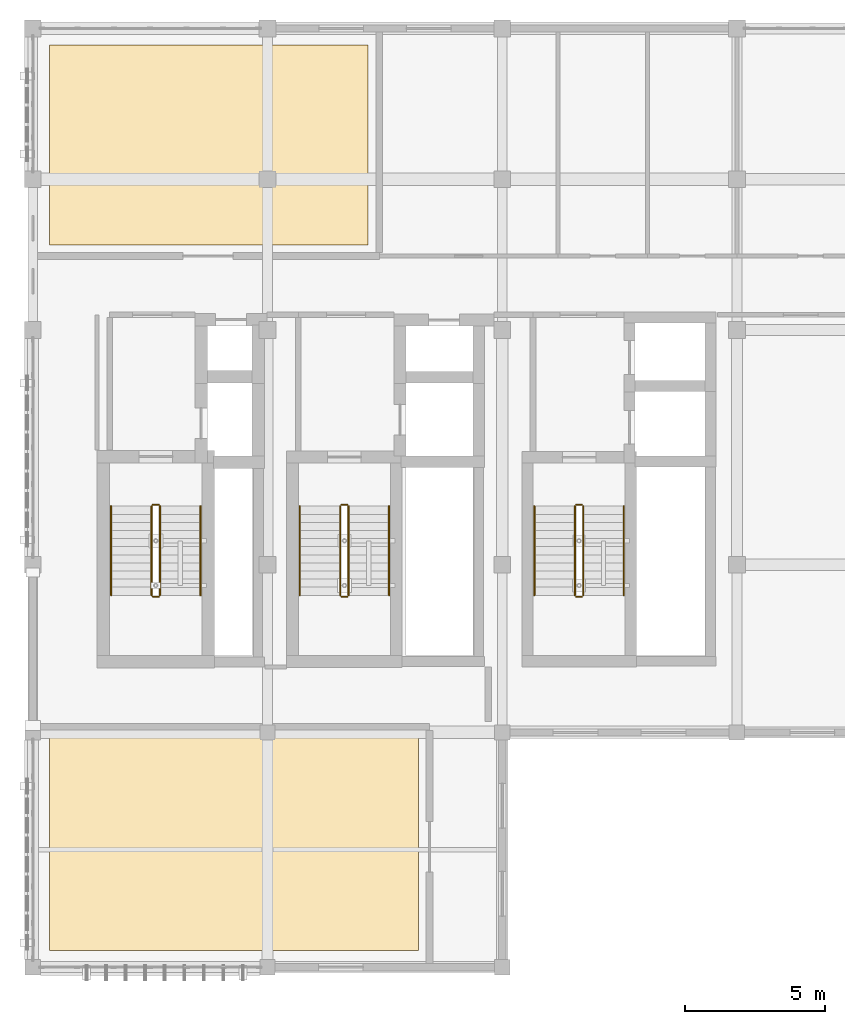
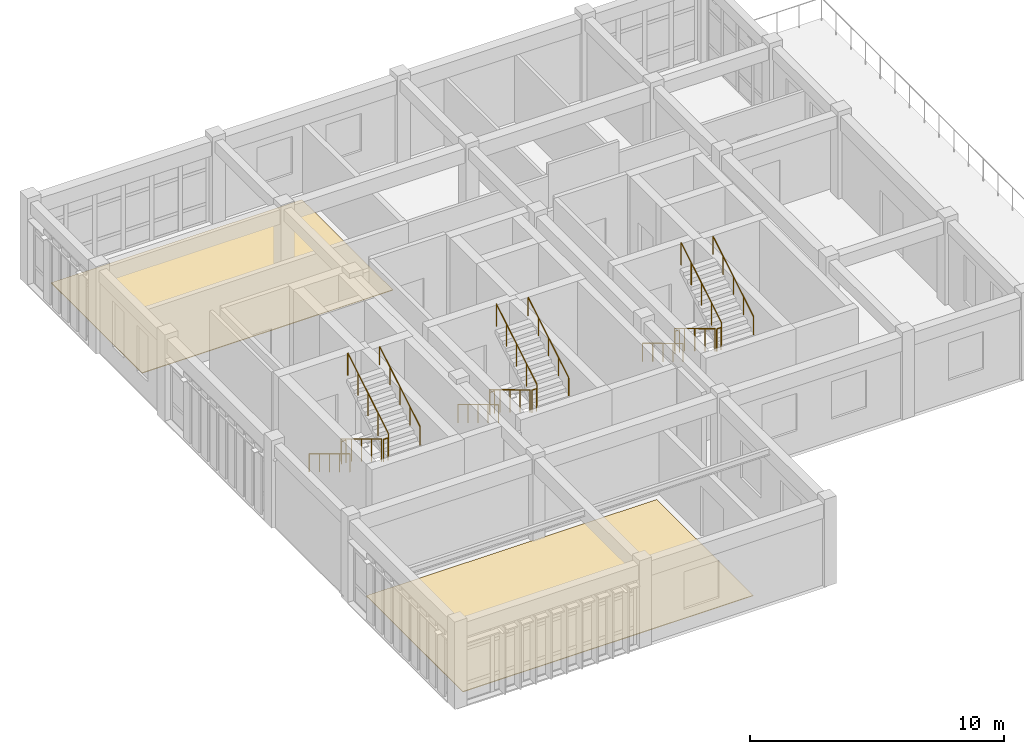
# One storey, part 20 of 21: 18 railings, 2 coverings.
"""IFC4 building model written with IfcOpenShell, lengths in metres."""

from ifc_helpers import new_model, si_unit, direction, frame, origin, origin_2d, place, context, subcontext, project, spatial, polyline, circle, outline, extrude, material, layer, layer_set, type_object, element, save


model = new_model("IFC4")

# Units and contexts
model_context = context("Model", 3, precision=1e-05, world=origin(), true_north=direction((0.0, 1.0)))
body_context = subcontext(model_context, "Body", "Model", "MODEL_VIEW")
ifc_project = project(units=[si_unit("LENGTHUNIT", "METRE"), si_unit("AREAUNIT", "SQUARE_METRE"), si_unit("VOLUMEUNIT", "CUBIC_METRE"), si_unit("PLANEANGLEUNIT", "RADIAN"), si_unit("MASSUNIT", "GRAM", prefix="KILO")], contexts=[model_context])

# Site, building, storey
site_placement = place(None, origin())
site = spatial("IfcSite", under=ifc_project, at=site_placement, CompositionType="ELEMENT")
building_placement = place(site_placement, origin())
building = spatial("IfcBuilding", under=site, at=building_placement, Name="Krzemoval Escarpment Law Courts", CompositionType="ELEMENT")
storey_placement = place(building_placement, frame((0.0, 0.0, 37.800048828125)))
storey = spatial("IfcBuildingStorey", under=building, at=storey_placement, Name="L08", CompositionType="ELEMENT", Elevation=37.800048828125)

# Coverings
ifc_material_1 = material(Name="Honed Silesian Granite Stone Flooring", Category="masonry")
ifc_layer = layer(ifc_material_1, 0.030029296875)
ifc_layer_set = layer_set([ifc_layer], Name="Honed Silesian Granite Stone Flooring")
covering_type = type_object("IfcCoveringType", Name="COV-FLR-STN30", PredefinedType="FLOORING", material=ifc_layer_set)
covering_1_placement = place(storey_placement, origin())
element("IfcCovering", 1, at=covering_1_placement, inside=storey, type_object=covering_type, Name="Stone Floor Finish FLR-L08-49", PredefinedType="FLOORING", context=body_context, shape_type="SweptSolid", body=[
    extrude(outline(polyline([(126.60009765625, 85.800048828125), (126.60009765625, 93.39990234375), (139.800048828125, 93.39990234375), (139.800048828125, 85.800048828125), (126.60009765625, 85.800048828125)])), origin(), (0.0, 0.0, 1.0), 0.030029296875),
])
covering_2_placement = place(storey_placement, origin())
element("IfcCovering", 2, at=covering_2_placement, inside=storey, type_object=covering_type, Name="Stone Floor Finish FLR-L08-50", PredefinedType="FLOORING", context=body_context, shape_type="SweptSolid", body=[
    extrude(outline(polyline([(126.60009765625, 111.050048828125), (126.60009765625, 118.199951171875), (138.0, 118.199951171875), (138.0, 111.050048828125), (126.60009765625, 111.050048828125)])), origin(), (0.0, 0.0, 1.0), 0.030029296875),
])

# Railings
ifc_material_2 = material(Name="Galvanised Steel S355", Category="steel")
railing_type_1 = type_object("IfcRailingType", Name="RL-GRD-1100", PredefinedType="GUARDRAIL", material=ifc_material_2)
railing_1_placement = place(storey_placement, frame((130.25, 101.699951171875, 0.175048828125)))
element("IfcRailing", 3, at=railing_1_placement, inside=storey, type_object=railing_type_1, Name="L08 ST1 stair guard 1", PredefinedType="GUARDRAIL", context=body_context, shape_type="SweptSolid", body=[
    extrude(circle(Radius=0.02392578125, at=origin_2d()), frame((0.0, 0.0, 1.076171875), z_axis=(0.0, -0.856206652436, 0.516633495163), x_axis=(1.0, 0.0, 0.0)), (0.0, 0.0, 1.0), 3.7255859375),
    extrude(circle(Radius=0.02099609375, at=origin_2d()), origin(), (0.0, 0.0, 1.0), 1.052001953125),
    extrude(circle(Radius=0.02099609375, at=origin_2d()), frame((0.0, -0.79736328125, 0.481201171875)), (0.0, 0.0, 1.0), 1.052001953125),
    extrude(circle(Radius=0.02099609375, at=origin_2d()), frame((0.0, -1.594970703125, 0.96240234375)), (0.0, 0.0, 1.0), 1.052001953125),
    extrude(circle(Radius=0.02099609375, at=origin_2d()), frame((0.0, -2.392578125, 1.443603515625)), (0.0, 0.0, 1.0), 1.052001953125),
    extrude(circle(Radius=0.02099609375, at=origin_2d()), frame((0.0, -3.18994140625, 1.9248046875)), (0.0, 0.0, 1.0), 1.052001953125),
])
railing_2_placement = place(storey_placement, frame((130.300048828125, 98.4599609375, 2.099853515625)))
element("IfcRailing", 4, at=railing_2_placement, inside=storey, type_object=railing_type_1, Name="L08 ST1 stair guard 2", PredefinedType="GUARDRAIL", context=body_context, shape_type="SweptSolid", body=[
    extrude(circle(Radius=0.02392578125, at=origin_2d()), frame((0.0, 0.0, 1.076171875), z_axis=(1.0, 0.0, 0.0), x_axis=(0.0, 1.0, 0.0)), (0.0, 0.0, 1.0), 0.199951171875),
    extrude(circle(Radius=0.02099609375, at=origin_2d()), origin(), (0.0, 0.0, 1.0), 1.052001953125),
    extrude(circle(Radius=0.02099609375, at=origin_2d()), frame((0.199951171875, 0.0, 0.0)), (0.0, 0.0, 1.0), 1.052001953125),
])
railing_3_placement = place(storey_placement, frame((130.550048828125, 98.510009765625, 2.27490234375)))
element("IfcRailing", 5, at=railing_3_placement, inside=storey, type_object=railing_type_1, Name="L08 ST1 stair guard 3", PredefinedType="GUARDRAIL", context=body_context, shape_type="SweptSolid", body=[
    extrude(circle(Radius=0.02392578125, at=origin_2d()), frame((0.0, 0.0, 1.076171875), z_axis=(0.0, 0.856177665481, 0.516681531633), x_axis=(-1.0, 0.0, 0.0)), (0.0, 0.0, 1.0), 3.725830078125),
    extrude(circle(Radius=0.02099609375, at=origin_2d()), origin(), (0.0, 0.0, 1.0), 1.052001953125),
    extrude(circle(Radius=0.02099609375, at=origin_2d()), frame((0.0, 0.79736328125, 0.481201171875)), (0.0, 0.0, 1.0), 1.052001953125),
    extrude(circle(Radius=0.02099609375, at=origin_2d()), frame((0.0, 1.594970703125, 0.96240234375)), (0.0, 0.0, 1.0), 1.052001953125),
    extrude(circle(Radius=0.02099609375, at=origin_2d()), frame((0.0, 2.392578125, 1.44384765625)), (0.0, 0.0, 1.0), 1.052001953125),
    extrude(circle(Radius=0.02099609375, at=origin_2d()), frame((0.0, 3.18994140625, 1.925048828125)), (0.0, 0.0, 1.0), 1.052001953125),
])
railing_4_placement = place(storey_placement, frame((130.300048828125, 101.75, 0.0)))
element("IfcRailing", 6, at=railing_4_placement, inside=storey, type_object=railing_type_1, Name="L08 ST1 stair guard 4", PredefinedType="GUARDRAIL", context=body_context, shape_type="SweptSolid", body=[
    extrude(circle(Radius=0.02392578125, at=origin_2d()), frame((0.0, 0.0, 1.076171875), z_axis=(1.0, 0.0, 0.0), x_axis=(0.0, 1.0, 0.0)), (0.0, 0.0, 1.0), 0.199951171875),
    extrude(circle(Radius=0.02099609375, at=origin_2d()), origin(), (0.0, 0.0, 1.0), 1.052001953125),
    extrude(circle(Radius=0.02099609375, at=origin_2d()), frame((0.199951171875, 0.0, 0.0)), (0.0, 0.0, 1.0), 1.052001953125),
])
railing_5_placement = place(storey_placement, frame((137.0, 101.699951171875, 0.175048828125)))
element("IfcRailing", 7, at=railing_5_placement, inside=storey, type_object=railing_type_1, Name="L08 ST2 stair guard 1", PredefinedType="GUARDRAIL", context=body_context, shape_type="SweptSolid", body=[
    extrude(circle(Radius=0.02392578125, at=origin_2d()), frame((0.0, 0.0, 1.076171875), z_axis=(0.0, -0.856206652436, 0.516633495163), x_axis=(1.0, 0.0, 0.0)), (0.0, 0.0, 1.0), 3.7255859375),
    extrude(circle(Radius=0.02099609375, at=origin_2d()), origin(), (0.0, 0.0, 1.0), 1.052001953125),
    extrude(circle(Radius=0.02099609375, at=origin_2d()), frame((0.0, -0.79736328125, 0.481201171875)), (0.0, 0.0, 1.0), 1.052001953125),
    extrude(circle(Radius=0.02099609375, at=origin_2d()), frame((0.0, -1.594970703125, 0.96240234375)), (0.0, 0.0, 1.0), 1.052001953125),
    extrude(circle(Radius=0.02099609375, at=origin_2d()), frame((0.0, -2.392578125, 1.443603515625)), (0.0, 0.0, 1.0), 1.052001953125),
    extrude(circle(Radius=0.02099609375, at=origin_2d()), frame((0.0, -3.18994140625, 1.9248046875)), (0.0, 0.0, 1.0), 1.052001953125),
])
railing_6_placement = place(storey_placement, frame((137.050048828125, 98.4599609375, 2.099853515625)))
element("IfcRailing", 8, at=railing_6_placement, inside=storey, type_object=railing_type_1, Name="L08 ST2 stair guard 2", PredefinedType="GUARDRAIL", context=body_context, shape_type="SweptSolid", body=[
    extrude(circle(Radius=0.02392578125, at=origin_2d()), frame((0.0, 0.0, 1.076171875), z_axis=(1.0, 0.0, 0.0), x_axis=(0.0, 1.0, 0.0)), (0.0, 0.0, 1.0), 0.199951171875),
    extrude(circle(Radius=0.02099609375, at=origin_2d()), origin(), (0.0, 0.0, 1.0), 1.052001953125),
    extrude(circle(Radius=0.02099609375, at=origin_2d()), frame((0.199951171875, 0.0, 0.0)), (0.0, 0.0, 1.0), 1.052001953125),
])
railing_7_placement = place(storey_placement, frame((137.300048828125, 98.510009765625, 2.27490234375)))
element("IfcRailing", 9, at=railing_7_placement, inside=storey, type_object=railing_type_1, Name="L08 ST2 stair guard 3", PredefinedType="GUARDRAIL", context=body_context, shape_type="SweptSolid", body=[
    extrude(circle(Radius=0.02392578125, at=origin_2d()), frame((0.0, 0.0, 1.076171875), z_axis=(0.0, 0.856177665481, 0.516681531633), x_axis=(-1.0, 0.0, 0.0)), (0.0, 0.0, 1.0), 3.725830078125),
    extrude(circle(Radius=0.02099609375, at=origin_2d()), origin(), (0.0, 0.0, 1.0), 1.052001953125),
    extrude(circle(Radius=0.02099609375, at=origin_2d()), frame((0.0, 0.79736328125, 0.481201171875)), (0.0, 0.0, 1.0), 1.052001953125),
    extrude(circle(Radius=0.02099609375, at=origin_2d()), frame((0.0, 1.594970703125, 0.96240234375)), (0.0, 0.0, 1.0), 1.052001953125),
    extrude(circle(Radius=0.02099609375, at=origin_2d()), frame((0.0, 2.392578125, 1.44384765625)), (0.0, 0.0, 1.0), 1.052001953125),
    extrude(circle(Radius=0.02099609375, at=origin_2d()), frame((0.0, 3.18994140625, 1.925048828125)), (0.0, 0.0, 1.0), 1.052001953125),
])
railing_8_placement = place(storey_placement, frame((137.050048828125, 101.75, 0.0)))
element("IfcRailing", 10, at=railing_8_placement, inside=storey, type_object=railing_type_1, Name="L08 ST2 stair guard 4", PredefinedType="GUARDRAIL", context=body_context, shape_type="SweptSolid", body=[
    extrude(circle(Radius=0.02392578125, at=origin_2d()), frame((0.0, 0.0, 1.076171875), z_axis=(1.0, 0.0, 0.0), x_axis=(0.0, 1.0, 0.0)), (0.0, 0.0, 1.0), 0.199951171875),
    extrude(circle(Radius=0.02099609375, at=origin_2d()), origin(), (0.0, 0.0, 1.0), 1.052001953125),
    extrude(circle(Radius=0.02099609375, at=origin_2d()), frame((0.199951171875, 0.0, 0.0)), (0.0, 0.0, 1.0), 1.052001953125),
])
railing_9_placement = place(storey_placement, frame((145.39990234375, 101.699951171875, 0.175048828125)))
element("IfcRailing", 11, at=railing_9_placement, inside=storey, type_object=railing_type_1, Name="L08 ST3 stair guard 1", PredefinedType="GUARDRAIL", context=body_context, shape_type="SweptSolid", body=[
    extrude(circle(Radius=0.02392578125, at=origin_2d()), frame((0.0, 0.0, 1.076171875), z_axis=(0.0, -0.856206652436, 0.516633495163), x_axis=(1.0, 0.0, 0.0)), (0.0, 0.0, 1.0), 3.7255859375),
    extrude(circle(Radius=0.02099609375, at=origin_2d()), origin(), (0.0, 0.0, 1.0), 1.052001953125),
    extrude(circle(Radius=0.02099609375, at=origin_2d()), frame((0.0, -0.79736328125, 0.481201171875)), (0.0, 0.0, 1.0), 1.052001953125),
    extrude(circle(Radius=0.02099609375, at=origin_2d()), frame((0.0, -1.594970703125, 0.96240234375)), (0.0, 0.0, 1.0), 1.052001953125),
    extrude(circle(Radius=0.02099609375, at=origin_2d()), frame((0.0, -2.392578125, 1.443603515625)), (0.0, 0.0, 1.0), 1.052001953125),
    extrude(circle(Radius=0.02099609375, at=origin_2d()), frame((0.0, -3.18994140625, 1.9248046875)), (0.0, 0.0, 1.0), 1.052001953125),
])
railing_10_placement = place(storey_placement, frame((145.449951171875, 98.4599609375, 2.099853515625)))
element("IfcRailing", 12, at=railing_10_placement, inside=storey, type_object=railing_type_1, Name="L08 ST3 stair guard 2", PredefinedType="GUARDRAIL", context=body_context, shape_type="SweptSolid", body=[
    extrude(circle(Radius=0.02392578125, at=origin_2d()), frame((0.0, 0.0, 1.076171875), z_axis=(1.0, 0.0, 0.0), x_axis=(0.0, 1.0, 0.0)), (0.0, 0.0, 1.0), 0.199951171875),
    extrude(circle(Radius=0.02099609375, at=origin_2d()), origin(), (0.0, 0.0, 1.0), 1.052001953125),
    extrude(circle(Radius=0.02099609375, at=origin_2d()), frame((0.199951171875, 0.0, 0.0)), (0.0, 0.0, 1.0), 1.052001953125),
])
railing_11_placement = place(storey_placement, frame((145.699951171875, 98.510009765625, 2.27490234375)))
element("IfcRailing", 13, at=railing_11_placement, inside=storey, type_object=railing_type_1, Name="L08 ST3 stair guard 3", PredefinedType="GUARDRAIL", context=body_context, shape_type="SweptSolid", body=[
    extrude(circle(Radius=0.02392578125, at=origin_2d()), frame((0.0, 0.0, 1.076171875), z_axis=(0.0, 0.856177665481, 0.516681531633), x_axis=(-1.0, 0.0, 0.0)), (0.0, 0.0, 1.0), 3.725830078125),
    extrude(circle(Radius=0.02099609375, at=origin_2d()), origin(), (0.0, 0.0, 1.0), 1.052001953125),
    extrude(circle(Radius=0.02099609375, at=origin_2d()), frame((0.0, 0.79736328125, 0.481201171875)), (0.0, 0.0, 1.0), 1.052001953125),
    extrude(circle(Radius=0.02099609375, at=origin_2d()), frame((0.0, 1.594970703125, 0.96240234375)), (0.0, 0.0, 1.0), 1.052001953125),
    extrude(circle(Radius=0.02099609375, at=origin_2d()), frame((0.0, 2.392578125, 1.44384765625)), (0.0, 0.0, 1.0), 1.052001953125),
    extrude(circle(Radius=0.02099609375, at=origin_2d()), frame((0.0, 3.18994140625, 1.925048828125)), (0.0, 0.0, 1.0), 1.052001953125),
])
railing_12_placement = place(storey_placement, frame((145.449951171875, 101.75, 0.0)))
element("IfcRailing", 14, at=railing_12_placement, inside=storey, type_object=railing_type_1, Name="L08 ST3 stair guard 4", PredefinedType="GUARDRAIL", context=body_context, shape_type="SweptSolid", body=[
    extrude(circle(Radius=0.02392578125, at=origin_2d()), frame((0.0, 0.0, 1.076171875), z_axis=(1.0, 0.0, 0.0), x_axis=(0.0, 1.0, 0.0)), (0.0, 0.0, 1.0), 0.199951171875),
    extrude(circle(Radius=0.02099609375, at=origin_2d()), origin(), (0.0, 0.0, 1.0), 1.052001953125),
    extrude(circle(Radius=0.02099609375, at=origin_2d()), frame((0.199951171875, 0.0, 0.0)), (0.0, 0.0, 1.0), 1.052001953125),
])
ifc_material_3 = material(Name="Brushed Stainless Steel Grade 304 Handrail", Category="steel")
railing_type_2 = type_object("IfcRailingType", Name="RL-HND-900", PredefinedType="HANDRAIL", material=ifc_material_3)
railing_13_placement = place(storey_placement, frame((128.800048828125, 101.699951171875, 0.175048828125)))
element("IfcRailing", 15, at=railing_13_placement, inside=storey, type_object=railing_type_2, Name="L08 ST1 stair handrail 1", PredefinedType="HANDRAIL", context=body_context, shape_type="SweptSolid", body=[
    extrude(circle(Radius=0.02392578125, at=origin_2d()), frame((0.0, 0.0, 0.8759765625), z_axis=(0.0, -0.856206652436, 0.516633495163), x_axis=(1.0, 0.0, 0.0)), (0.0, 0.0, 1.0), 3.7255859375),
    extrude(circle(Radius=0.02099609375, at=origin_2d()), origin(), (0.0, 0.0, 1.0), 0.851806640625),
    extrude(circle(Radius=0.02099609375, at=origin_2d()), frame((0.0, -0.79736328125, 0.481201171875)), (0.0, 0.0, 1.0), 0.851806640625),
    extrude(circle(Radius=0.02099609375, at=origin_2d()), frame((0.0, -1.594970703125, 0.96240234375)), (0.0, 0.0, 1.0), 0.851806640625),
    extrude(circle(Radius=0.02099609375, at=origin_2d()), frame((0.0, -2.392578125, 1.443603515625)), (0.0, 0.0, 1.0), 0.851806640625),
    extrude(circle(Radius=0.02099609375, at=origin_2d()), frame((0.0, -3.18994140625, 1.9248046875)), (0.0, 0.0, 1.0), 0.851806640625),
])
railing_14_placement = place(storey_placement, frame((132.0, 98.510009765625, 2.27490234375)))
element("IfcRailing", 16, at=railing_14_placement, inside=storey, type_object=railing_type_2, Name="L08 ST1 stair handrail 2", PredefinedType="HANDRAIL", context=body_context, shape_type="SweptSolid", body=[
    extrude(circle(Radius=0.02392578125, at=origin_2d()), frame((0.0, 0.0, 0.8759765625), z_axis=(0.0, 0.856177665481, 0.516681531633), x_axis=(-1.0, 0.0, 0.0)), (0.0, 0.0, 1.0), 3.725830078125),
    extrude(circle(Radius=0.02099609375, at=origin_2d()), origin(), (0.0, 0.0, 1.0), 0.851806640625),
    extrude(circle(Radius=0.02099609375, at=origin_2d()), frame((0.0, 0.79736328125, 0.481201171875)), (0.0, 0.0, 1.0), 0.851806640625),
    extrude(circle(Radius=0.02099609375, at=origin_2d()), frame((0.0, 1.594970703125, 0.96240234375)), (0.0, 0.0, 1.0), 0.851806640625),
    extrude(circle(Radius=0.02099609375, at=origin_2d()), frame((0.0, 2.392578125, 1.44384765625)), (0.0, 0.0, 1.0), 0.851806640625),
    extrude(circle(Radius=0.02099609375, at=origin_2d()), frame((0.0, 3.18994140625, 1.925048828125)), (0.0, 0.0, 1.0), 0.851806640625),
])
railing_15_placement = place(storey_placement, frame((135.550048828125, 101.699951171875, 0.175048828125)))
element("IfcRailing", 17, at=railing_15_placement, inside=storey, type_object=railing_type_2, Name="L08 ST2 stair handrail 1", PredefinedType="HANDRAIL", context=body_context, shape_type="SweptSolid", body=[
    extrude(circle(Radius=0.02392578125, at=origin_2d()), frame((0.0, 0.0, 0.8759765625), z_axis=(0.0, -0.856206652436, 0.516633495163), x_axis=(1.0, 0.0, 0.0)), (0.0, 0.0, 1.0), 3.7255859375),
    extrude(circle(Radius=0.02099609375, at=origin_2d()), origin(), (0.0, 0.0, 1.0), 0.851806640625),
    extrude(circle(Radius=0.02099609375, at=origin_2d()), frame((0.0, -0.79736328125, 0.481201171875)), (0.0, 0.0, 1.0), 0.851806640625),
    extrude(circle(Radius=0.02099609375, at=origin_2d()), frame((0.0, -1.594970703125, 0.96240234375)), (0.0, 0.0, 1.0), 0.851806640625),
    extrude(circle(Radius=0.02099609375, at=origin_2d()), frame((0.0, -2.392578125, 1.443603515625)), (0.0, 0.0, 1.0), 0.851806640625),
    extrude(circle(Radius=0.02099609375, at=origin_2d()), frame((0.0, -3.18994140625, 1.9248046875)), (0.0, 0.0, 1.0), 0.851806640625),
])
railing_16_placement = place(storey_placement, frame((138.75, 98.510009765625, 2.27490234375)))
element("IfcRailing", 18, at=railing_16_placement, inside=storey, type_object=railing_type_2, Name="L08 ST2 stair handrail 2", PredefinedType="HANDRAIL", context=body_context, shape_type="SweptSolid", body=[
    extrude(circle(Radius=0.02392578125, at=origin_2d()), frame((0.0, 0.0, 0.8759765625), z_axis=(0.0, 0.856177665481, 0.516681531633), x_axis=(-1.0, 0.0, 0.0)), (0.0, 0.0, 1.0), 3.725830078125),
    extrude(circle(Radius=0.02099609375, at=origin_2d()), origin(), (0.0, 0.0, 1.0), 0.851806640625),
    extrude(circle(Radius=0.02099609375, at=origin_2d()), frame((0.0, 0.79736328125, 0.481201171875)), (0.0, 0.0, 1.0), 0.851806640625),
    extrude(circle(Radius=0.02099609375, at=origin_2d()), frame((0.0, 1.594970703125, 0.96240234375)), (0.0, 0.0, 1.0), 0.851806640625),
    extrude(circle(Radius=0.02099609375, at=origin_2d()), frame((0.0, 2.392578125, 1.44384765625)), (0.0, 0.0, 1.0), 0.851806640625),
    extrude(circle(Radius=0.02099609375, at=origin_2d()), frame((0.0, 3.18994140625, 1.925048828125)), (0.0, 0.0, 1.0), 0.851806640625),
])
railing_17_placement = place(storey_placement, frame((143.949951171875, 101.699951171875, 0.175048828125)))
element("IfcRailing", 19, at=railing_17_placement, inside=storey, type_object=railing_type_2, Name="L08 ST3 stair handrail 1", PredefinedType="HANDRAIL", context=body_context, shape_type="SweptSolid", body=[
    extrude(circle(Radius=0.02392578125, at=origin_2d()), frame((0.0, 0.0, 0.8759765625), z_axis=(0.0, -0.856206652436, 0.516633495163), x_axis=(1.0, 0.0, 0.0)), (0.0, 0.0, 1.0), 3.7255859375),
    extrude(circle(Radius=0.02099609375, at=origin_2d()), origin(), (0.0, 0.0, 1.0), 0.851806640625),
    extrude(circle(Radius=0.02099609375, at=origin_2d()), frame((0.0, -0.79736328125, 0.481201171875)), (0.0, 0.0, 1.0), 0.851806640625),
    extrude(circle(Radius=0.02099609375, at=origin_2d()), frame((0.0, -1.594970703125, 0.96240234375)), (0.0, 0.0, 1.0), 0.851806640625),
    extrude(circle(Radius=0.02099609375, at=origin_2d()), frame((0.0, -2.392578125, 1.443603515625)), (0.0, 0.0, 1.0), 0.851806640625),
    extrude(circle(Radius=0.02099609375, at=origin_2d()), frame((0.0, -3.18994140625, 1.9248046875)), (0.0, 0.0, 1.0), 0.851806640625),
])
railing_18_placement = place(storey_placement, frame((147.14990234375, 98.510009765625, 2.27490234375)))
element("IfcRailing", 20, at=railing_18_placement, inside=storey, type_object=railing_type_2, Name="L08 ST3 stair handrail 2", PredefinedType="HANDRAIL", context=body_context, shape_type="SweptSolid", body=[
    extrude(circle(Radius=0.02392578125, at=origin_2d()), frame((0.0, 0.0, 0.8759765625), z_axis=(0.0, 0.856177665481, 0.516681531633), x_axis=(-1.0, 0.0, 0.0)), (0.0, 0.0, 1.0), 3.725830078125),
    extrude(circle(Radius=0.02099609375, at=origin_2d()), origin(), (0.0, 0.0, 1.0), 0.851806640625),
    extrude(circle(Radius=0.02099609375, at=origin_2d()), frame((0.0, 0.79736328125, 0.481201171875)), (0.0, 0.0, 1.0), 0.851806640625),
    extrude(circle(Radius=0.02099609375, at=origin_2d()), frame((0.0, 1.594970703125, 0.96240234375)), (0.0, 0.0, 1.0), 0.851806640625),
    extrude(circle(Radius=0.02099609375, at=origin_2d()), frame((0.0, 2.392578125, 1.44384765625)), (0.0, 0.0, 1.0), 0.851806640625),
    extrude(circle(Radius=0.02099609375, at=origin_2d()), frame((0.0, 3.18994140625, 1.925048828125)), (0.0, 0.0, 1.0), 0.851806640625),
])

save(model, "model.ifc")
